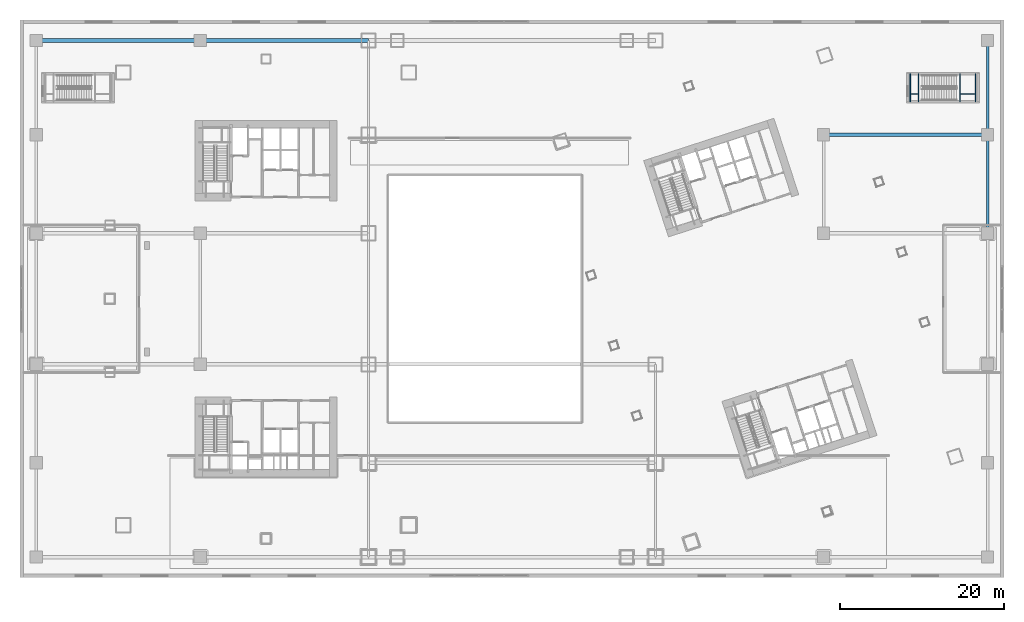
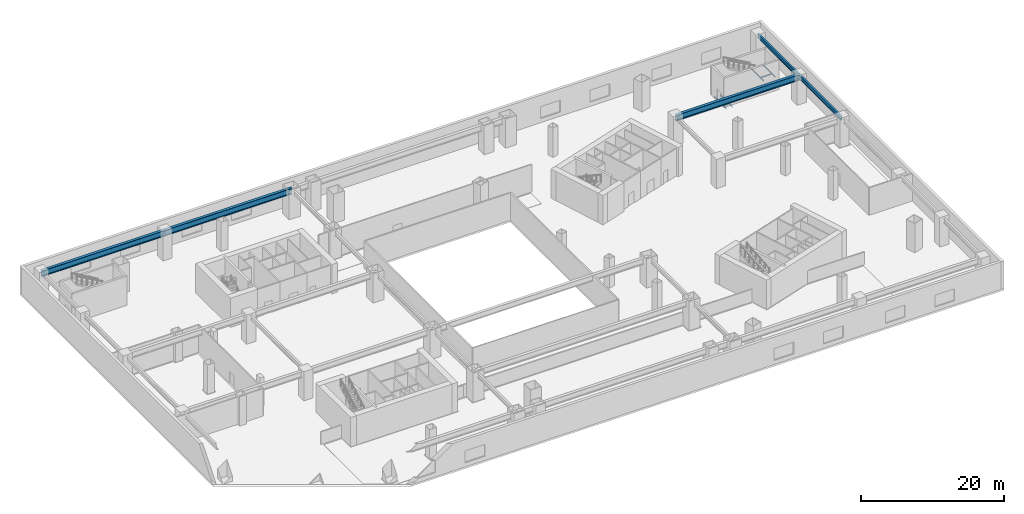
# One storey, part 17 of 35: 11 beams.
"""IFC4 building model written with IfcOpenShell, lengths in metres."""

from ifc_helpers import new_model, si_unit, direction, frame, origin, origin_2d, place, context, subcontext, project, spatial, i_section, extrude, material, material_profile, profile_set, type_object, element, save


model = new_model("IFC4")

# Units and contexts
model_context = context("Model", 3, precision=1e-05, world=origin(), true_north=direction((0.0, 1.0)))
body_context = subcontext(model_context, "Body", "Model", "MODEL_VIEW")
ifc_project = project(units=[si_unit("LENGTHUNIT", "METRE"), si_unit("AREAUNIT", "SQUARE_METRE"), si_unit("VOLUMEUNIT", "CUBIC_METRE"), si_unit("PLANEANGLEUNIT", "RADIAN"), si_unit("MASSUNIT", "GRAM", prefix="KILO")], contexts=[model_context])

# Site, building, storey
site_placement = place(None, origin())
site = spatial("IfcSite", under=ifc_project, at=site_placement, CompositionType="ELEMENT")
building_placement = place(site_placement, origin())
building = spatial("IfcBuilding", under=site, at=building_placement, Name="Qiaolan Cultural Towers", CompositionType="ELEMENT")
storey_placement = place(building_placement, frame((0.0, 0.0, 11.5)))
storey = spatial("IfcBuildingStorey", under=building, at=storey_placement, Name="L02", CompositionType="ELEMENT", Elevation=11.5)

# Beams
ifc_material_1 = material(Name="Steel Q390GJB", Category="steel")
ifc_material_profile_1 = material_profile(ifc_material_1, i_section(OverallWidth=0.449951171875, OverallDepth=1.0, WebThickness=0.02392578125, FlangeThickness=0.0400390625, at=origin_2d()), Name="BH1000x450x24x40")
ifc_profile_set_1 = profile_set([ifc_material_profile_1], Name="Steel Q390GJB")
beam_type_1 = type_object("IfcBeamType", Name="BM-BH1000x450x24x40", PredefinedType="BEAM", material=ifc_profile_set_1)
for number, where, z_axis, x_axis, name in (
    (1, (98.0, 54.0, 4.199951171875), (1.0, 0.0, 0.0), (0.0, 1.0, 0.0), "L02 Podium Primary Girder Y=54.0"),
    (2, (2.0, 65.5, 4.199951171875), (1.0, 0.0, 0.0), (0.0, 1.0, 0.0), "L02 Podium Primary Girder Y=65.5"),
):
    element("IfcBeam", number, at=place(storey_placement, frame(where, z_axis=z_axis, x_axis=x_axis)), inside=storey, type_object=beam_type_1, Name=name, PredefinedType="BEAM", context=body_context, shape_type="SweptSolid", body=[
        extrude(i_section(OverallWidth=0.449951171875, OverallDepth=1.0, WebThickness=0.02392578125, FlangeThickness=0.0400390625, at=origin_2d()), origin(), (0.0, 0.0, 1.0), 20.0),
    ])
beam_1_placement = place(storey_placement, frame((22.0, 65.5, 4.199951171875), z_axis=(1.0, 0.0, 0.0), x_axis=(0.0, 1.0, 0.0)))
element("IfcBeam", 3, at=beam_1_placement, inside=storey, type_object=beam_type_1, Name="L02 Podium Primary Girder Y=65.5", PredefinedType="BEAM", context=body_context, shape_type="SweptSolid", body=[
    extrude(i_section(OverallWidth=0.449951171875, OverallDepth=1.0, WebThickness=0.02392578125, FlangeThickness=0.0400390625, at=origin_2d()), origin(), (0.0, 0.0, 1.0), 20.5),
])
ifc_material_2 = material(Name="Steel Q355B", Category="steel")
ifc_material_profile_2 = material_profile(ifc_material_2, i_section(OverallWidth=0.300048828125, OverallDepth=0.699951171875, WebThickness=0.012939453125, FlangeThickness=0.02392578125, at=origin_2d()), Name="HN700x300x13x24")
ifc_profile_set_2 = profile_set([ifc_material_profile_2], Name="Steel Q355B")
beam_type_2 = type_object("IfcBeamType", Name="BM-HN700x300x13x24", PredefinedType="BEAM", material=ifc_profile_set_2)
beam_2_placement = place(storey_placement, frame((118.0, 42.0, 4.35009765625), z_axis=(0.0, 1.0, 0.0), x_axis=(-1.0, 0.0, 0.0)))
element("IfcBeam", 4, at=beam_2_placement, inside=storey, type_object=beam_type_2, Name="L02 Podium Transverse Beam X=118.0", PredefinedType="BEAM", context=body_context, shape_type="SweptSolid", body=[
    extrude(i_section(OverallWidth=0.300048828125, OverallDepth=0.699951171875, WebThickness=0.012939453125, FlangeThickness=0.02392578125, at=origin_2d()), origin(), (0.0, 0.0, 1.0), 12.0),
])
beam_3_placement = place(storey_placement, frame((118.0, 54.0, 4.35009765625), z_axis=(0.0, 1.0, 0.0), x_axis=(-1.0, 0.0, 0.0)))
element("IfcBeam", 5, at=beam_3_placement, inside=storey, type_object=beam_type_2, Name="L02 Podium Transverse Beam X=118.0", PredefinedType="BEAM", context=body_context, shape_type="SweptSolid", body=[
    extrude(i_section(OverallWidth=0.300048828125, OverallDepth=0.699951171875, WebThickness=0.012939453125, FlangeThickness=0.02392578125, at=origin_2d()), origin(), (0.0, 0.0, 1.0), 11.5),
])
ifc_material_3 = material(Name="Steel Q355B", Category="steel")
ifc_material_profile_3 = material_profile(ifc_material_3, i_section(OverallWidth=0.10009765625, OverallDepth=0.199951171875, WebThickness=0.005615234375, FlangeThickness=0.008056640625, at=origin_2d()), Name="HN200x100x5.5x8")
ifc_profile_set_3 = profile_set([ifc_material_profile_3], Name="Steel Q355B")
beam_type_3 = type_object("IfcBeamType", Name="BM-STTRIM-200", PredefinedType="BEAM", material=ifc_profile_set_3)
for number, where, z_axis, x_axis, name in (
    (6, (108.580078125, 58.050048828125, -0.4599609375), (0.0, 1.0, 0.0), (-1.0, 0.0, 0.0), "L02 ST-P2 Floor Landing Beam 1"),
    (7, (109.580078125, 58.050048828125, -0.4599609375), (0.0, 1.0, 0.0), (-1.0, 0.0, 0.0), "L02 ST-P2 Floor Landing Beam 2"),
):
    element("IfcBeam", number, at=place(storey_placement, frame(where, z_axis=z_axis, x_axis=x_axis)), inside=storey, type_object=beam_type_3, Name=name, PredefinedType="BEAM", context=body_context, shape_type="SweptSolid", body=[
        extrude(i_section(OverallWidth=0.10009765625, OverallDepth=0.199951171875, WebThickness=0.005615234375, FlangeThickness=0.008056640625, at=origin_2d()), origin(), (0.0, 0.0, 1.0), 3.39990234375),
    ])
beam_4_placement = place(storey_placement, frame((108.580078125, 58.97509765625, -0.4599609375), z_axis=(1.0, 0.0, 0.0), x_axis=(0.0, 1.0, 0.0)))
element("IfcBeam", 8, at=beam_4_placement, inside=storey, type_object=beam_type_3, Name="L02 ST-P2 Floor Landing Trimmer", PredefinedType="BEAM", context=body_context, shape_type="SweptSolid", body=[
    extrude(i_section(OverallWidth=0.10009765625, OverallDepth=0.199951171875, WebThickness=0.005615234375, FlangeThickness=0.008056640625, at=origin_2d()), origin(), (0.0, 0.0, 1.0), 1.0),
])
for number, where, z_axis, x_axis, name in (
    (9, (114.638671875, 58.050048828125, 2.199951171875), (0.0, 1.0, 0.0), (-1.0, 0.0, 0.0), "L02 ST-P2 Stair Landing Support Beam 1-1"),
    (10, (116.52001953125, 58.050048828125, 2.199951171875), (0.0, 1.0, 0.0), (-1.0, 0.0, 0.0), "L02 ST-P2 Stair Landing Support Beam 1-2"),
):
    element("IfcBeam", number, at=place(storey_placement, frame(where, z_axis=z_axis, x_axis=x_axis)), inside=storey, type_object=beam_type_3, Name=name, PredefinedType="BEAM", context=body_context, shape_type="SweptSolid", body=[
        extrude(i_section(OverallWidth=0.10009765625, OverallDepth=0.199951171875, WebThickness=0.005615234375, FlangeThickness=0.008056640625, at=origin_2d()), origin(), (0.0, 0.0, 1.0), 3.39990234375),
    ])
beam_5_placement = place(storey_placement, frame((114.638671875, 58.97509765625, 2.199951171875), z_axis=(1.0, 0.0, 0.0), x_axis=(0.0, 1.0, 0.0)))
element("IfcBeam", 11, at=beam_5_placement, inside=storey, type_object=beam_type_3, Name="L02 ST-P2 Stair Landing Trimmer 1", PredefinedType="BEAM", context=body_context, shape_type="SweptSolid", body=[
    extrude(i_section(OverallWidth=0.10009765625, OverallDepth=0.199951171875, WebThickness=0.005615234375, FlangeThickness=0.008056640625, at=origin_2d()), origin(), (0.0, 0.0, 1.0), 1.88134765625),
])

save(model, "model.ifc")
